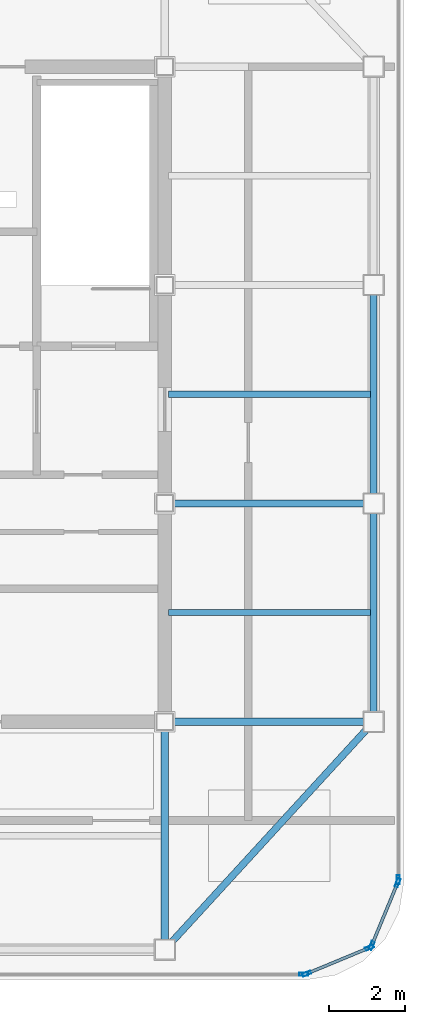
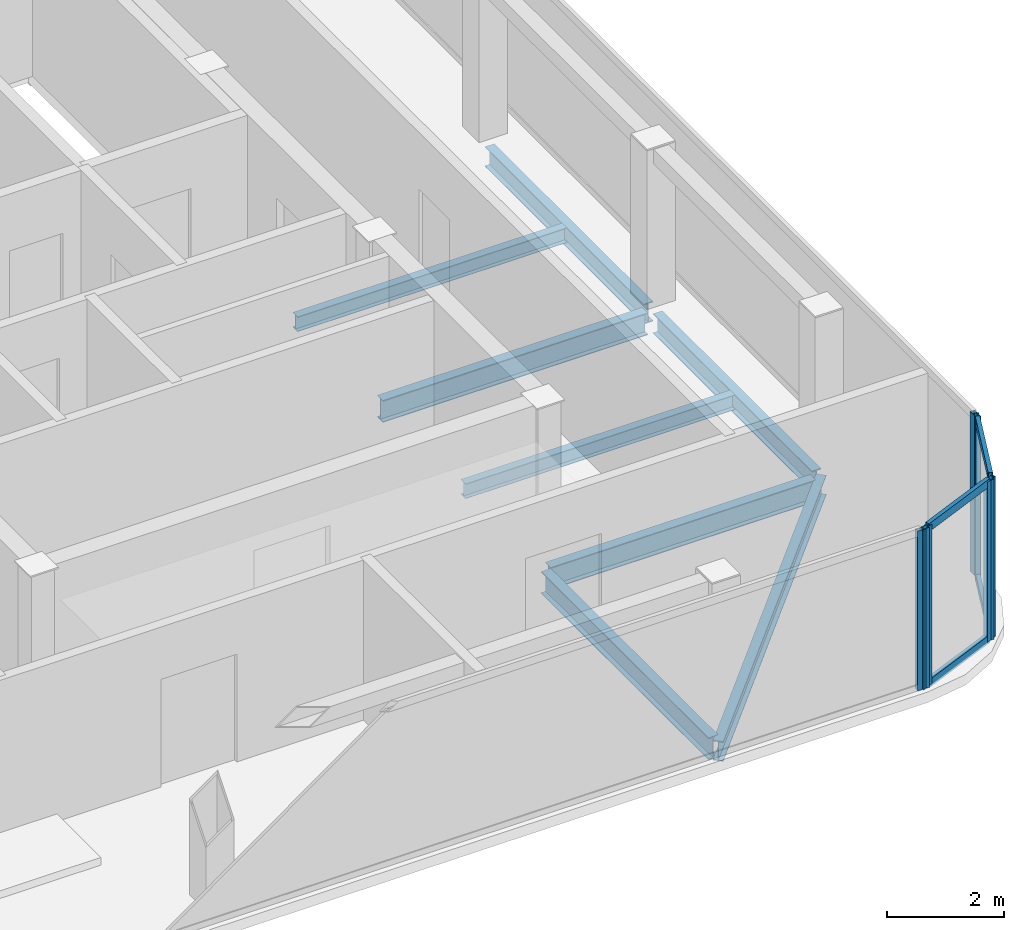
# One storey, part 4 of 11: 10 members, 8 beams, 4 elements without a shape of their own.
"""IFC4 building model written with IfcOpenShell, lengths in metres."""

from ifc_helpers import new_model, si_unit, direction, frame, origin, origin_2d, place, context, subcontext, project, spatial, hollow_rectangle, i_section, extrude, source, transform, mapped, material, layer, layer_set, material_profile, profile_set, type_object, element, aggregate, save


model = new_model("IFC4")

# Units and contexts
model_context = context("Model", 3, precision=1e-05, world=origin(), true_north=direction((0.0, 1.0)))
body_context = subcontext(model_context, "Body", "Model", "MODEL_VIEW")
ifc_project = project(units=[si_unit("LENGTHUNIT", "METRE"), si_unit("AREAUNIT", "SQUARE_METRE"), si_unit("VOLUMEUNIT", "CUBIC_METRE"), si_unit("PLANEANGLEUNIT", "RADIAN"), si_unit("MASSUNIT", "GRAM", prefix="KILO")], contexts=[model_context])

# Site, building, storey
site_placement = place(None, origin())
site = spatial("IfcSite", under=ifc_project, at=site_placement, CompositionType="ELEMENT")
building_placement = place(site_placement, origin())
building = spatial("IfcBuilding", under=site, at=building_placement, Name="Kolveth Station Tower", CompositionType="ELEMENT")
storey_placement = place(building_placement, frame((0.0, 0.0, 292.89990234375)))
storey = spatial("IfcBuildingStorey", under=building, at=storey_placement, Name="L84", CompositionType="ELEMENT", Elevation=292.89990234375)

# Beams
ifc_material_1 = material(Name="Steel S355", Category="steel")
ifc_material_profile_1 = material_profile(ifc_material_1, i_section(OverallWidth=0.180908203125, OverallDepth=0.4169921875, WebThickness=0.010986328125, FlangeThickness=0.018310546875, at=origin_2d()), Name="W410x85")
ifc_profile_set_1 = profile_set([ifc_material_profile_1], Name="Steel S355")
beam_type_1 = type_object("IfcBeamType", Name="Beam_B8", PredefinedType="BEAM", material=ifc_profile_set_1)
shared_shape_1 = source(origin(), body_context, "Body", "SweptSolid", [
    extrude(i_section(OverallWidth=0.180908203125, OverallDepth=0.4169921875, WebThickness=0.010986328125, FlangeThickness=0.018310546875, at=origin_2d()), origin(), (0.0, 0.0, 1.0), 5.43017578125),
])
for number, where, z_axis, x_axis, name in (
    (1, (34.0, 11.659912109375, -0.428466796875), (0.0, 1.0, 0.0), (-1.0, 0.0, 0.0), "L84 Perimeter Spandrel BM-L84-PE-1"),
    (2, (34.0, 17.409912109375, -0.428466796875), (0.0, 1.0, 0.0), (-1.0, 0.0, 0.0), "L84 Perimeter Spandrel BM-L84-PE-2"),
):
    element("IfcBeam", number, at=place(storey_placement, frame(where, z_axis=z_axis, x_axis=x_axis)), inside=storey, type_object=beam_type_1, Name=name, PredefinedType="BEAM", context=body_context, shape_type="MappedRepresentation", body=[
        mapped(shared_shape_1, transform((0.0, 0.0, 0.0), x_axis=(1.0, 0.0, 0.0), y_axis=(0.0, 1.0, 0.0), z_axis=(0.0, 0.0, 1.0), scale=1.0)),
    ])
ifc_material_profile_2 = material_profile(ifc_material_1, i_section(OverallWidth=0.19091796875, OverallDepth=0.4599609375, WebThickness=0.010009765625, FlangeThickness=0.01611328125, at=origin_2d()), Name="W460x82")
ifc_profile_set_2 = profile_set([ifc_material_profile_2], Name="Steel S355")
beam_type_2 = type_object("IfcBeamType", Name="Beam_B7", PredefinedType="BEAM", material=ifc_profile_set_2)
shared_shape_2 = source(origin(), body_context, "Body", "SweptSolid", [
    extrude(i_section(OverallWidth=0.19091796875, OverallDepth=0.4599609375, WebThickness=0.010009765625, FlangeThickness=0.01611328125, at=origin_2d()), origin(), (0.0, 0.0, 1.0), 5.22998046875),
])
for number, where, z_axis, x_axis, name in (
    (3, (28.610107421875, 11.5, -0.449951171875), (1.0, 0.0, 0.0), (0.0, 1.0, 0.0), "L84 Primary Girder BM-L84-GY115-3"),
    (4, (28.610107421875, 17.25, -0.449951171875), (1.0, 0.0, 0.0), (0.0, 1.0, 0.0), "L84 Primary Girder BM-L84-GY172-3"),
):
    element("IfcBeam", number, at=place(storey_placement, frame(where, z_axis=z_axis, x_axis=x_axis)), inside=storey, type_object=beam_type_2, Name=name, PredefinedType="BEAM", context=body_context, shape_type="MappedRepresentation", body=[
        mapped(shared_shape_2, transform((0.0, 0.0, 0.0), x_axis=(1.0, 0.0, 0.0), y_axis=(0.0, 1.0, 0.0), z_axis=(0.0, 0.0, 1.0), scale=1.0)),
    ])
shared_shape_3 = source(origin(), body_context, "Body", "SweptSolid", [
    extrude(i_section(OverallWidth=0.19091796875, OverallDepth=0.4599609375, WebThickness=0.010009765625, FlangeThickness=0.01611328125, at=origin_2d()), origin(), (0.0, 0.0, 1.0), 5.72998046875),
])
beam_1_placement = place(storey_placement, frame((28.5, 5.659912109375, -0.449951171875), z_axis=(0.0, 1.0, 0.0), x_axis=(-1.0, 0.0, 0.0)))
element("IfcBeam", 5, at=beam_1_placement, inside=storey, type_object=beam_type_2, Name="L84 Primary Girder BM-L84-GX285-1", PredefinedType="BEAM", context=body_context, shape_type="MappedRepresentation", body=[
    mapped(shared_shape_3, transform((0.0, 0.0, 0.0), x_axis=(1.0, 0.0, 0.0), y_axis=(0.0, 1.0, 0.0), z_axis=(0.0, 0.0, 1.0), scale=1.0)),
])
shared_shape_4 = source(origin(), body_context, "Body", "SweptSolid", [
    extrude(i_section(OverallWidth=0.180908203125, OverallDepth=0.4169921875, WebThickness=0.010986328125, FlangeThickness=0.018310546875, at=origin_2d()), origin(), (0.0, 0.0, 1.0), 8.139404296875),
])
beam_2_placement = place(storey_placement, frame((28.5, 5.5, -0.428466796875), z_axis=(0.675724628517, 0.737154140201, 0.0), x_axis=(-0.737154140201, 0.675724628517, 0.0)))
element("IfcBeam", 6, at=beam_2_placement, inside=storey, type_object=beam_type_1, Name="L84 Corner Edge Girder BM-L84-CNR-SE", PredefinedType="BEAM", context=body_context, shape_type="MappedRepresentation", body=[
    mapped(shared_shape_4, transform((0.0, 0.0, 0.0), x_axis=(1.0, 0.0, 0.0), y_axis=(0.0, 1.0, 0.0), z_axis=(0.0, 0.0, 1.0), scale=1.0)),
])
ifc_material_profile_3 = material_profile(ifc_material_1, i_section(OverallWidth=0.1650390625, OverallDepth=0.31005859375, WebThickness=0.005859375, FlangeThickness=0.009765625, at=origin_2d()), Name="W310x39")
ifc_profile_set_3 = profile_set([ifc_material_profile_3], Name="Steel S355")
beam_type_3 = type_object("IfcBeamType", Name="Beam_J3", PredefinedType="JOIST", material=ifc_profile_set_3)
shared_shape_5 = source(origin(), body_context, "Body", "SweptSolid", [
    extrude(i_section(OverallWidth=0.1650390625, OverallDepth=0.31005859375, WebThickness=0.005859375, FlangeThickness=0.009765625, at=origin_2d()), origin(), (0.0, 0.0, 1.0), 5.318115234375),
])
for number, where, z_axis, x_axis, name in (
    (7, (28.593505859375, 14.375, -0.375), (1.0, 0.0, 0.0), (0.0, 1.0, 0.0), "L84 Secondary Joist JST-L84-3-2"),
    (8, (28.593505859375, 20.125, -0.375), (1.0, 0.0, 0.0), (0.0, 1.0, 0.0), "L84 Secondary Joist JST-L84-3-3"),
):
    element("IfcBeam", number, at=place(storey_placement, frame(where, z_axis=z_axis, x_axis=x_axis)), inside=storey, type_object=beam_type_3, Name=name, PredefinedType="JOIST", context=body_context, shape_type="MappedRepresentation", body=[
        mapped(shared_shape_5, transform((0.0, 0.0, 0.0), x_axis=(1.0, 0.0, 0.0), y_axis=(0.0, 1.0, 0.0), z_axis=(0.0, 0.0, 1.0), scale=1.0)),
    ])

# Curtain wall, members
ifc_material_2 = material(Name="Black anodized aluminium 6063-T6 and dark crown glass", Category="aluminium")
ifc_layer = layer(ifc_material_2, 0.169921875)
ifc_layer_set = layer_set([ifc_layer], Name="Black anodized aluminium 6063-T6 and dark crown glass")
curtain_wall_type = type_object("IfcCurtainWallType", Name="CurtainWall_CW-CR", PredefinedType="NOTDEFINED", material=ifc_layer_set)
curtain_wall_1_placement = place(storey_placement, origin())
curtain_wall_1 = element("IfcCurtainWall", 9, at=curtain_wall_1_placement, inside=storey, type_object=curtain_wall_type, Name="L84 Stepped Crown Curtain Wall 1", PredefinedType="NOTDEFINED")
ifc_material_3 = material(Name="Black anodized aluminium 6063-T6", Category="aluminium")
ifc_material_profile_4 = material_profile(ifc_material_3, hollow_rectangle(XDim=0.080078125, YDim=0.1650390625, WallThickness=0.0048828125, at=origin_2d()), Name="ALU-80x165x5")
ifc_profile_set_4 = profile_set([ifc_material_profile_4], Name="Black anodized aluminium 6063-T6")
member_type_1 = type_object("IfcMemberType", Name="Transom_TR-CR", PredefinedType="USERDEFINED", material=ifc_profile_set_4)
shared_shape_6 = source(origin(), body_context, "Body", "SweptSolid", [
    extrude(hollow_rectangle(XDim=0.080078125, YDim=0.1650390625, WallThickness=0.0048828125, at=origin_2d()), origin(), (0.0, 0.0, 1.0), 1.705078125),
])
member_1_placement = place(storey_placement, frame((32.278564453125, 4.882568359375, 0.0400390625), z_axis=(0.923854516996, 0.38274381958, 0.0), x_axis=(-0.38274381958, 0.923854516996, 0.0)))
member_1 = element("IfcMember", 10, at=member_1_placement, type_object=member_type_1, Name="CW-CR transom 1.1", ObjectType="TRANSOM", PredefinedType="USERDEFINED", context=body_context, shape_type="MappedRepresentation", body=[
    mapped(shared_shape_6, transform((0.0, 0.0, 0.0), x_axis=(1.0, 0.0, 0.0), y_axis=(0.0, 1.0, 0.0), z_axis=(0.0, 0.0, 1.0), scale=1.0)),
])
member_2_placement = place(storey_placement, frame((32.278564453125, 4.882568359375, 3.300048828125), z_axis=(0.923854516996, 0.38274381958, 0.0), x_axis=(-0.38274381958, 0.923854516996, 0.0)))
member_2 = element("IfcMember", 11, at=member_2_placement, type_object=member_type_1, Name="CW-CR transom 1.2", ObjectType="TRANSOM", PredefinedType="USERDEFINED", context=body_context, shape_type="MappedRepresentation", body=[
    mapped(shared_shape_6, transform((0.0, 0.0, 0.0), x_axis=(1.0, 0.0, 0.0), y_axis=(0.0, 1.0, 0.0), z_axis=(0.0, 0.0, 1.0), scale=1.0)),
])

curtain_wall_2_placement = place(storey_placement, origin())
curtain_wall_2 = element("IfcCurtainWall", 12, at=curtain_wall_2_placement, inside=storey, type_object=curtain_wall_type, Name="L84 Stepped Crown Curtain Wall 2", PredefinedType="NOTDEFINED")
member_3_placement = place(storey_placement, frame((33.96484375, 5.646240234375, 0.0400390625), z_axis=(0.38274381958, 0.923854516996, 0.0), x_axis=(-0.923854516996, 0.38274381958, 0.0)))
member_3 = element("IfcMember", 13, at=member_3_placement, type_object=member_type_1, Name="CW-CR transom 1.1", ObjectType="TRANSOM", PredefinedType="USERDEFINED", context=body_context, shape_type="MappedRepresentation", body=[
    mapped(shared_shape_6, transform((0.0, 0.0, 0.0), x_axis=(1.0, 0.0, 0.0), y_axis=(0.0, 1.0, 0.0), z_axis=(0.0, 0.0, 1.0), scale=1.0)),
])
member_4_placement = place(storey_placement, frame((33.96484375, 5.646240234375, 3.300048828125), z_axis=(0.38274381958, 0.923854516996, 0.0), x_axis=(-0.923854516996, 0.38274381958, 0.0)))
member_4 = element("IfcMember", 14, at=member_4_placement, type_object=member_type_1, Name="CW-CR transom 1.2", ObjectType="TRANSOM", PredefinedType="USERDEFINED", context=body_context, shape_type="MappedRepresentation", body=[
    mapped(shared_shape_6, transform((0.0, 0.0, 0.0), x_axis=(1.0, 0.0, 0.0), y_axis=(0.0, 1.0, 0.0), z_axis=(0.0, 0.0, 1.0), scale=1.0)),
])

# Member
ifc_material_profile_5 = material_profile(ifc_material_3, hollow_rectangle(XDim=0.0849609375, YDim=0.22998046875, WallThickness=0.0048828125, at=origin_2d()), Name="ALU-85x230x5")
ifc_profile_set_5 = profile_set([ifc_material_profile_5], Name="Black anodized aluminium 6063-T6")
member_type_2 = type_object("IfcMemberType", Name="Mullion_ML-CR", PredefinedType="MULLION", material=ifc_profile_set_5)
shared_shape_7 = source(origin(), body_context, "Body", "SweptSolid", [
    extrude(hollow_rectangle(XDim=0.0849609375, YDim=0.22998046875, WallThickness=0.0048828125, at=origin_2d()), origin(), (0.0, 0.0, 1.0), 3.340087890625),
])
member_5_placement = place(storey_placement, frame((32.2392578125, 4.8662109375, 0.0), z_axis=(0.0, 0.0, 1.0), x_axis=(-0.382690908701, 0.923876435676, 0.0)))
member_5 = element("IfcMember", 15, at=member_5_placement, type_object=member_type_2, Name="CW-CR mullion 1", PredefinedType="MULLION", context=body_context, shape_type="MappedRepresentation", body=[
    mapped(shared_shape_7, transform((0.0, 0.0, 0.0), x_axis=(1.0, 0.0, 0.0), y_axis=(0.0, 1.0, 0.0), z_axis=(0.0, 0.0, 1.0), scale=1.0)),
])

member_6_placement = place(storey_placement, frame((33.89306640625, 5.55126953125, 0.0), z_axis=(0.0, 0.0, 1.0), x_axis=(-0.382690908701, 0.923876435676, 0.0)))
member_6 = element("IfcMember", 16, at=member_6_placement, type_object=member_type_2, Name="CW-CR mullion 2", PredefinedType="MULLION", context=body_context, shape_type="MappedRepresentation", body=[
    mapped(shared_shape_7, transform((0.0, 0.0, 0.0), x_axis=(1.0, 0.0, 0.0), y_axis=(0.0, 1.0, 0.0), z_axis=(0.0, 0.0, 1.0), scale=1.0)),
])

aggregate(curtain_wall_1, [member_5, member_6, member_1, member_2])

member_7_placement = place(storey_placement, frame((33.94873046875, 5.60693359375, 0.0), z_axis=(0.0, 0.0, 1.0), x_axis=(-0.923876435676, 0.382690908701, 0.0)))
member_7 = element("IfcMember", 17, at=member_7_placement, type_object=member_type_2, Name="CW-CR mullion 1", PredefinedType="MULLION", context=body_context, shape_type="MappedRepresentation", body=[
    mapped(shared_shape_7, transform((0.0, 0.0, 0.0), x_axis=(1.0, 0.0, 0.0), y_axis=(0.0, 1.0, 0.0), z_axis=(0.0, 0.0, 1.0), scale=1.0)),
])

member_8_placement = place(storey_placement, frame((34.6337890625, 7.2607421875, 0.0), z_axis=(0.0, 0.0, 1.0), x_axis=(-0.923876435676, 0.382690908701, 0.0)))
member_8 = element("IfcMember", 18, at=member_8_placement, type_object=member_type_2, Name="CW-CR mullion 2", PredefinedType="MULLION", context=body_context, shape_type="MappedRepresentation", body=[
    mapped(shared_shape_7, transform((0.0, 0.0, 0.0), x_axis=(1.0, 0.0, 0.0), y_axis=(0.0, 1.0, 0.0), z_axis=(0.0, 0.0, 1.0), scale=1.0)),
])

aggregate(curtain_wall_2, [member_7, member_8, member_3, member_4])

# Curtain wall, member
curtain_wall_3_placement = place(storey_placement, origin())
curtain_wall_3 = element("IfcCurtainWall", 19, at=curtain_wall_3_placement, inside=storey, type_object=curtain_wall_type, Name="L84 Stepped Crown Curtain Wall 3", PredefinedType="NOTDEFINED")
member_9_placement = place(storey_placement, frame((34.64990234375, 7.342529296875, 0.0), z_axis=(0.0, 0.0, 1.0), x_axis=(-1.0, 0.0, 0.0)))
member_9 = element("IfcMember", 20, at=member_9_placement, type_object=member_type_2, Name="CW-CR mullion 1", PredefinedType="MULLION", context=body_context, shape_type="MappedRepresentation", body=[
    mapped(shared_shape_7, transform((0.0, 0.0, 0.0), x_axis=(1.0, 0.0, 0.0), y_axis=(0.0, 1.0, 0.0), z_axis=(0.0, 0.0, 1.0), scale=1.0)),
])
aggregate(curtain_wall_3, [member_9])

curtain_wall_4_placement = place(storey_placement, origin())
curtain_wall_4 = element("IfcCurtainWall", 21, at=curtain_wall_4_placement, inside=storey, type_object=curtain_wall_type, Name="L84 Stepped Crown Curtain Wall 12", PredefinedType="NOTDEFINED")
member_10_placement = place(storey_placement, frame((32.157470703125, 4.85009765625, 0.0), z_axis=(0.0, 0.0, 1.0), x_axis=(0.0, 1.0, 0.0)))
member_10 = element("IfcMember", 22, at=member_10_placement, type_object=member_type_2, Name="CW-CR mullion 2", PredefinedType="MULLION", context=body_context, shape_type="MappedRepresentation", body=[
    mapped(shared_shape_7, transform((0.0, 0.0, 0.0), x_axis=(1.0, 0.0, 0.0), y_axis=(0.0, 1.0, 0.0), z_axis=(0.0, 0.0, 1.0), scale=1.0)),
])
aggregate(curtain_wall_4, [member_10])

save(model, "model.ifc")
